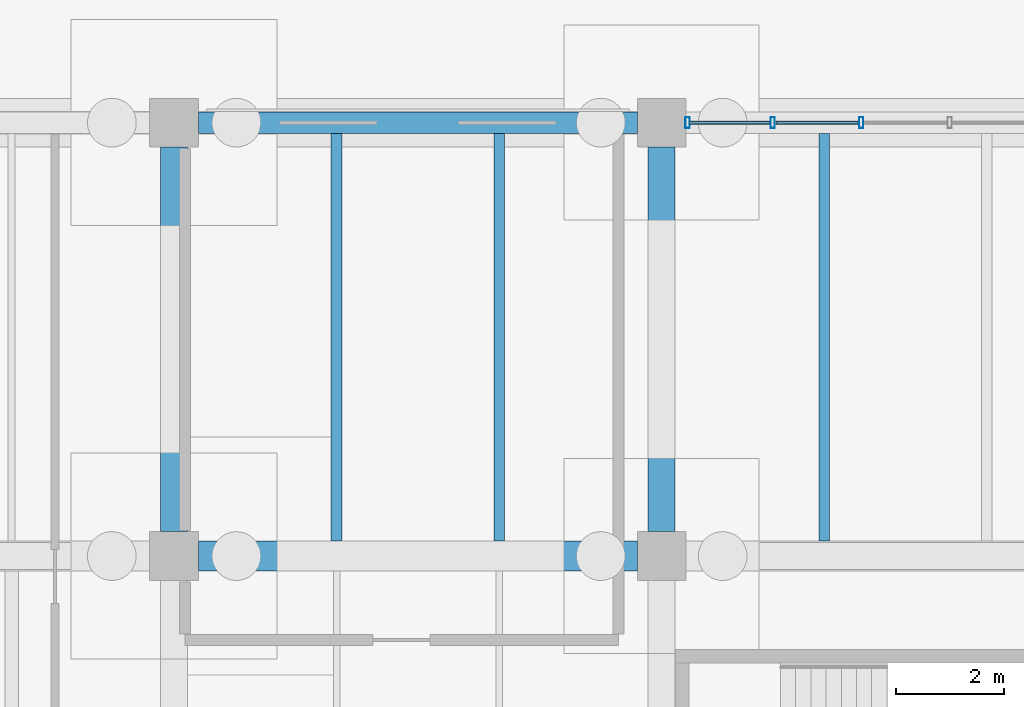
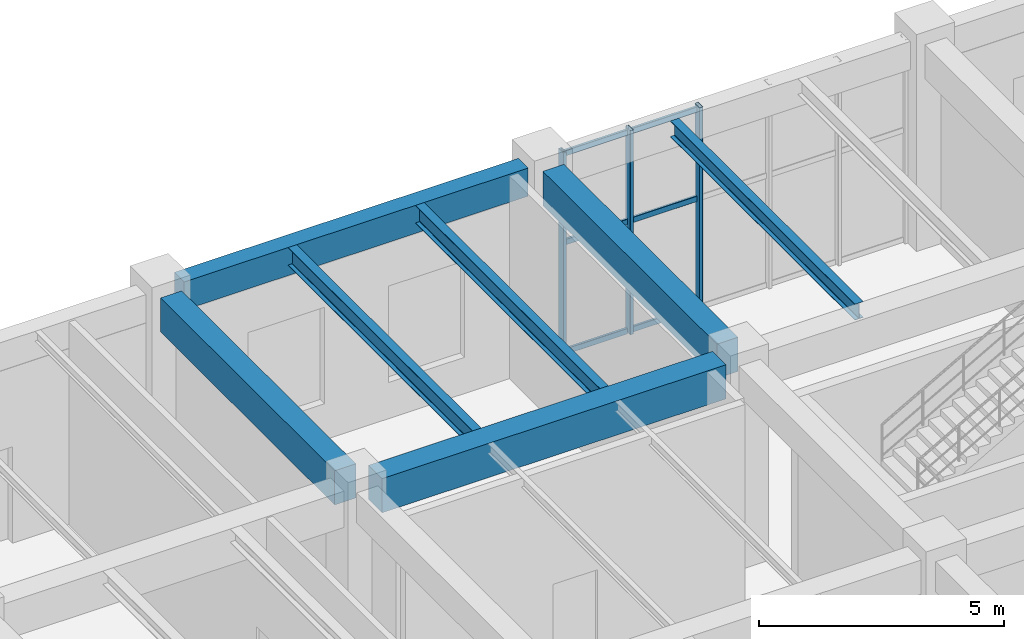
# One storey, part 79 of 121: 9 members, 7 beams, 1 element without a shape of its own.
"""IFC4 building model written with IfcOpenShell, lengths in metres."""

from ifc_helpers import new_model, si_unit, derived_unit, direction, frame, origin, origin_2d, place, context, subcontext, project, spatial, rectangle, hollow_rectangle, i_section, extrude, material, material_profile, profile_set, type_object, element, aggregate, save


model = new_model("IFC4")

# Units and contexts
model_context = context("Model", 3, precision=1e-05, world=origin(), true_north=direction((0.0, 1.0)))
body_context = subcontext(model_context, "Body", "Model", "MODEL_VIEW")
ifc_project = project(units=[si_unit("LENGTHUNIT", "METRE"), si_unit("AREAUNIT", "SQUARE_METRE"), si_unit("VOLUMEUNIT", "CUBIC_METRE"), si_unit("PLANEANGLEUNIT", "RADIAN"), si_unit("MASSUNIT", "GRAM", prefix="KILO"), derived_unit("THERMALTRANSMITTANCEUNIT", [(si_unit("MASSUNIT", "GRAM", prefix="KILO"), 1), (si_unit("TIMEUNIT", "SECOND"), -3), (si_unit("THERMODYNAMICTEMPERATUREUNIT", "KELVIN"), -1)])], contexts=[model_context])

# Site, building, storey
site_placement = place(None, origin())
site = spatial("IfcSite", under=ifc_project, at=site_placement, CompositionType="ELEMENT")
building_placement = place(site_placement, origin())
building = spatial("IfcBuilding", under=site, at=building_placement, Name="Zhenchuan Archway Interchange", CompositionType="ELEMENT")
storey_placement = place(building_placement, origin())
storey = spatial("IfcBuildingStorey", under=building, at=storey_placement, Name="L00", CompositionType="ELEMENT", Elevation=0.0)

# Beams
ifc_material_1 = material(Name="Concrete C40", Category="concrete")
ifc_material_profile_1 = material_profile(ifc_material_1, rectangle(XDim=0.5, YDim=0.85009765625, at=origin_2d()), Name="RC 500x850")
ifc_profile_set_1 = profile_set([ifc_material_profile_1], Name="Concrete C40")
beam_type_1 = type_object("IfcBeamType", Name="BM_RC_500x850", PredefinedType="BEAM", material=ifc_profile_set_1)
for number, where, z_axis, x_axis, name in (
    (1, (144.0, 96.449951171875, 4.655029296875), (0.0, 1.0, 0.0), (-1.0, 0.0, 0.0), "Beam 17:N-O (L00)"),
    (2, (153.0, 96.449951171875, 4.655029296875), (0.0, 1.0, 0.0), (-1.0, 0.0, 0.0), "Beam 18:N-O (L00)"),
):
    element("IfcBeam", number, at=place(storey_placement, frame(where, z_axis=z_axis, x_axis=x_axis)), inside=storey, type_object=beam_type_1, Name=name, PredefinedType="BEAM", context=body_context, shape_type="SweptSolid", body=[
        extrude(rectangle(XDim=0.5, YDim=0.85009765625, at=origin_2d()), origin(), (0.0, 0.0, 1.0), 7.10009765625),
    ])
ifc_material_profile_2 = material_profile(ifc_material_1, rectangle(XDim=0.550048828125, YDim=0.85009765625, at=origin_2d()), Name="RC 550x850")
ifc_profile_set_2 = profile_set([ifc_material_profile_2], Name="Concrete C40")
beam_type_2 = type_object("IfcBeamType", Name="BM_RC_550x850", PredefinedType="BEAM", material=ifc_profile_set_2)
beam_1_placement = place(storey_placement, frame((144.449951171875, 96.0, 4.655029296875), z_axis=(1.0, 0.0, 0.0), x_axis=(0.0, 1.0, 0.0)))
element("IfcBeam", 3, at=beam_1_placement, inside=storey, type_object=beam_type_2, Name="Beam N:17-18 (L00)", PredefinedType="BEAM", context=body_context, shape_type="SweptSolid", body=[
    extrude(rectangle(XDim=0.550048828125, YDim=0.85009765625, at=origin_2d()), origin(), (0.0, 0.0, 1.0), 8.10009765625),
])

# Curtain wall, members
ifc_material_2 = material(Name="Anodised Aluminium", Category="aluminium")
curtain_wall_type = type_object("IfcCurtainWallType", Name="CW_UNIT_2", PredefinedType="NOTDEFINED", material=ifc_material_2)
curtain_wall_placement = place(storey_placement, origin())
curtain_wall = element("IfcCurtainWall", 4, at=curtain_wall_placement, inside=storey, type_object=curtain_wall_type, Name="Unitised curtain wall CW:L00:013", PredefinedType="NOTDEFINED")
ifc_material_profile_3 = material_profile(ifc_material_2, hollow_rectangle(XDim=0.080078125, YDim=0.199951171875, WallThickness=0.00439453125, InnerFilletRadius=0.00439453125, OuterFilletRadius=0.009033203125, at=origin_2d()), Name="ALU 200x80x4.5")
ifc_profile_set_3 = profile_set([ifc_material_profile_3], Name="Anodised Aluminium")
member_type_1 = type_object("IfcMemberType", Name="CW_MUL_200", PredefinedType="MULLION", material=ifc_profile_set_3)
member_1_placement = place(storey_placement, frame((153.47802734375, 104.0, 0.0), z_axis=(0.0, 0.0, 1.0), x_axis=(1.0, 0.0, 0.0)))
member_1 = element("IfcMember", 5, at=member_1_placement, type_object=member_type_1, Name="CW:L00:013 mullion 0", PredefinedType="MULLION", context=body_context, shape_type="SweptSolid", body=[
    extrude(hollow_rectangle(XDim=0.080078125, YDim=0.199951171875, WallThickness=0.00439453125, InnerFilletRadius=0.00439453125, OuterFilletRadius=0.009033203125, at=origin_2d()), origin(), (0.0, 0.0, 1.0), 5.080078125),
])
member_2_placement = place(storey_placement, frame((155.05078125, 104.0, 0.0), z_axis=(0.0, 0.0, 1.0), x_axis=(1.0, 0.0, 0.0)))
member_2 = element("IfcMember", 6, at=member_2_placement, type_object=member_type_1, Name="CW:L00:013 mullion 1", PredefinedType="MULLION", context=body_context, shape_type="SweptSolid", body=[
    extrude(hollow_rectangle(XDim=0.080078125, YDim=0.199951171875, WallThickness=0.00439453125, InnerFilletRadius=0.00439453125, OuterFilletRadius=0.009033203125, at=origin_2d()), origin(), (0.0, 0.0, 1.0), 5.080078125),
])
member_3_placement = place(storey_placement, frame((156.68359375, 104.0, 0.0), z_axis=(0.0, 0.0, 1.0), x_axis=(1.0, 0.0, 0.0)))
member_3 = element("IfcMember", 7, at=member_3_placement, type_object=member_type_1, Name="CW:L00:013 mullion 2", PredefinedType="MULLION", context=body_context, shape_type="SweptSolid", body=[
    extrude(hollow_rectangle(XDim=0.080078125, YDim=0.199951171875, WallThickness=0.00439453125, InnerFilletRadius=0.00439453125, OuterFilletRadius=0.009033203125, at=origin_2d()), origin(), (0.0, 0.0, 1.0), 5.080078125),
])
ifc_material_profile_4 = material_profile(ifc_material_2, hollow_rectangle(XDim=0.06005859375, YDim=0.139892578125, WallThickness=0.00341796875, InnerFilletRadius=0.00341796875, OuterFilletRadius=0.007080078125, at=origin_2d()), Name="ALU 140x60x3.5")
ifc_profile_set_4 = profile_set([ifc_material_profile_4], Name="Anodised Aluminium")
member_type_2 = type_object("IfcMemberType", Name="CW_TRN_140", PredefinedType="USERDEFINED", material=ifc_profile_set_4)
member_4_placement = place(storey_placement, frame((153.498046875, 104.0, 0.06005859375), z_axis=(1.0, 0.0, 0.0), x_axis=(0.0, 1.0, 0.0)))
member_4 = element("IfcMember", 8, at=member_4_placement, type_object=member_type_2, Name="CW:L00:013 transom 0-1", ObjectType="TRANSOM", PredefinedType="USERDEFINED", context=body_context, shape_type="SweptSolid", body=[
    extrude(hollow_rectangle(XDim=0.06005859375, YDim=0.139892578125, WallThickness=0.00341796875, InnerFilletRadius=0.00341796875, OuterFilletRadius=0.007080078125, at=origin_2d()), origin(), (0.0, 0.0, 1.0), 1.49267578125),
])
member_5_placement = place(storey_placement, frame((153.498046875, 104.0, 2.782958984375), z_axis=(1.0, 0.0, 0.0), x_axis=(0.0, 1.0, 0.0)))
member_5 = element("IfcMember", 9, at=member_5_placement, type_object=member_type_2, Name="CW:L00:013 transom 0-2", ObjectType="TRANSOM", PredefinedType="USERDEFINED", context=body_context, shape_type="SweptSolid", body=[
    extrude(hollow_rectangle(XDim=0.06005859375, YDim=0.139892578125, WallThickness=0.00341796875, InnerFilletRadius=0.00341796875, OuterFilletRadius=0.007080078125, at=origin_2d()), origin(), (0.0, 0.0, 1.0), 1.49267578125),
])
member_6_placement = place(storey_placement, frame((153.498046875, 104.0, 5.0), z_axis=(1.0, 0.0, 0.0), x_axis=(0.0, 1.0, 0.0)))
member_6 = element("IfcMember", 10, at=member_6_placement, type_object=member_type_2, Name="CW:L00:013 transom 0-3", ObjectType="TRANSOM", PredefinedType="USERDEFINED", context=body_context, shape_type="SweptSolid", body=[
    extrude(hollow_rectangle(XDim=0.06005859375, YDim=0.139892578125, WallThickness=0.00341796875, InnerFilletRadius=0.00341796875, OuterFilletRadius=0.007080078125, at=origin_2d()), origin(), (0.0, 0.0, 1.0), 1.49267578125),
])
member_7_placement = place(storey_placement, frame((155.11083984375, 104.0, 0.06005859375), z_axis=(1.0, 0.0, 0.0), x_axis=(0.0, 1.0, 0.0)))
member_7 = element("IfcMember", 11, at=member_7_placement, type_object=member_type_2, Name="CW:L00:013 transom 1-1", ObjectType="TRANSOM", PredefinedType="USERDEFINED", context=body_context, shape_type="SweptSolid", body=[
    extrude(hollow_rectangle(XDim=0.06005859375, YDim=0.139892578125, WallThickness=0.00341796875, InnerFilletRadius=0.00341796875, OuterFilletRadius=0.007080078125, at=origin_2d()), origin(), (0.0, 0.0, 1.0), 1.5126953125),
])
member_8_placement = place(storey_placement, frame((155.11083984375, 104.0, 2.782958984375), z_axis=(1.0, 0.0, 0.0), x_axis=(0.0, 1.0, 0.0)))
member_8 = element("IfcMember", 12, at=member_8_placement, type_object=member_type_2, Name="CW:L00:013 transom 1-2", ObjectType="TRANSOM", PredefinedType="USERDEFINED", context=body_context, shape_type="SweptSolid", body=[
    extrude(hollow_rectangle(XDim=0.06005859375, YDim=0.139892578125, WallThickness=0.00341796875, InnerFilletRadius=0.00341796875, OuterFilletRadius=0.007080078125, at=origin_2d()), origin(), (0.0, 0.0, 1.0), 1.5126953125),
])
member_9_placement = place(storey_placement, frame((155.11083984375, 104.0, 5.0), z_axis=(1.0, 0.0, 0.0), x_axis=(0.0, 1.0, 0.0)))
member_9 = element("IfcMember", 13, at=member_9_placement, type_object=member_type_2, Name="CW:L00:013 transom 1-3", ObjectType="TRANSOM", PredefinedType="USERDEFINED", context=body_context, shape_type="SweptSolid", body=[
    extrude(hollow_rectangle(XDim=0.06005859375, YDim=0.139892578125, WallThickness=0.00341796875, InnerFilletRadius=0.00341796875, OuterFilletRadius=0.007080078125, at=origin_2d()), origin(), (0.0, 0.0, 1.0), 1.5126953125),
])
aggregate(curtain_wall, [member_1, member_2, member_3, member_4, member_5, member_6, member_7, member_8, member_9])

# Beams
ifc_material_3 = material(Name="Steel Q355", Category="steel")
ifc_material_profile_5 = material_profile(ifc_material_3, i_section(OverallWidth=0.199951171875, OverallDepth=0.39990234375, WebThickness=0.008056640625, FlangeThickness=0.012939453125, FilletRadius=0.01611328125, at=origin_2d()), Name="HN 400x200")
ifc_profile_set_5 = profile_set([ifc_material_profile_5], Name="Steel Q355")
beam_type_3 = type_object("IfcBeamType", Name="JST_STL_HN400", PredefinedType="JOIST", material=ifc_profile_set_5)
beam_2_placement = place(storey_placement, frame((156.0, 96.27490234375, 4.8798828125), z_axis=(0.0, 1.0, 0.0), x_axis=(-1.0, 0.0, 0.0)))
element("IfcBeam", 14, at=beam_2_placement, inside=storey, type_object=beam_type_3, Name="Secondary joist 18-19/N-O #1 (L00)", PredefinedType="JOIST", context=body_context, shape_type="SweptSolid", body=[
    extrude(i_section(OverallWidth=0.199951171875, OverallDepth=0.39990234375, WebThickness=0.008056640625, FlangeThickness=0.012939453125, FilletRadius=0.01611328125, at=origin_2d()), origin(), (0.0, 0.0, 1.0), 7.525146484375),
])
ifc_material_profile_6 = material_profile(ifc_material_3, i_section(OverallWidth=0.199951171875, OverallDepth=0.449951171875, WebThickness=0.009033203125, FlangeThickness=0.013916015625, FilletRadius=0.01806640625, at=origin_2d()), Name="HN 450x200")
ifc_profile_set_6 = profile_set([ifc_material_profile_6], Name="Steel Q355")
beam_type_4 = type_object("IfcBeamType", Name="JST_STL_HN450", PredefinedType="JOIST", material=ifc_profile_set_6)
for number, where, z_axis, x_axis, name in (
    (15, (147.0, 96.27490234375, 4.85498046875), (0.0, 1.0, 0.0), (-1.0, 0.0, 0.0), "Secondary joist 17-18/N-O #1 (L00)"),
    (16, (150.0, 96.27490234375, 4.85498046875), (0.0, 1.0, 0.0), (-1.0, 0.0, 0.0), "Secondary joist 17-18/N-O #2 (L00)"),
):
    element("IfcBeam", number, at=place(storey_placement, frame(where, z_axis=z_axis, x_axis=x_axis)), inside=storey, type_object=beam_type_4, Name=name, PredefinedType="JOIST", context=body_context, shape_type="SweptSolid", body=[
        extrude(i_section(OverallWidth=0.199951171875, OverallDepth=0.449951171875, WebThickness=0.009033203125, FlangeThickness=0.013916015625, FilletRadius=0.01806640625, at=origin_2d()), origin(), (0.0, 0.0, 1.0), 7.525146484375),
    ])
ifc_material_profile_7 = material_profile(ifc_material_1, rectangle(XDim=0.39990234375, YDim=0.699951171875, at=origin_2d()), Name="RC 400x700")
ifc_profile_set_7 = profile_set([ifc_material_profile_7], Name="Concrete C40")
beam_type_5 = type_object("IfcBeamType", Name="SP_RC_400x700", PredefinedType="SPANDREL", material=ifc_profile_set_7)
beam_3_placement = place(storey_placement, frame((144.449951171875, 104.0, 4.72998046875), z_axis=(1.0, 0.0, 0.0), x_axis=(0.0, 1.0, 0.0)))
element("IfcBeam", 17, at=beam_3_placement, inside=storey, type_object=beam_type_5, Name="Beam O:17-18 (L00)", PredefinedType="SPANDREL", context=body_context, shape_type="SweptSolid", body=[
    extrude(rectangle(XDim=0.39990234375, YDim=0.699951171875, at=origin_2d()), origin(), (0.0, 0.0, 1.0), 8.10009765625),
])

save(model, "model.ifc")
